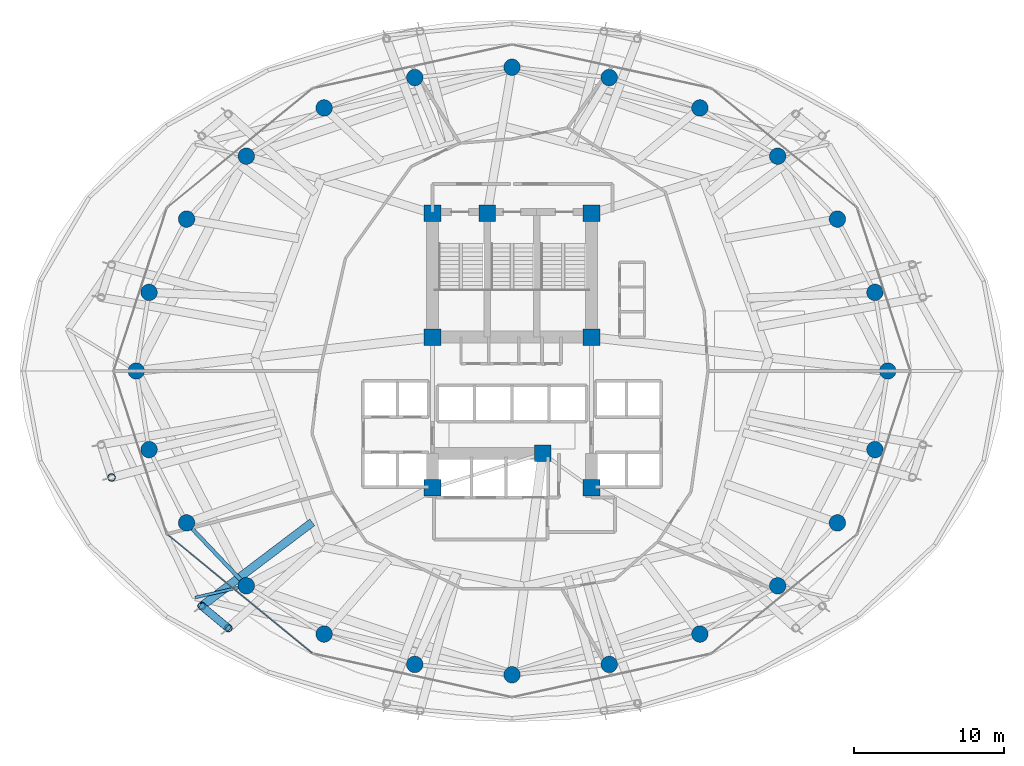
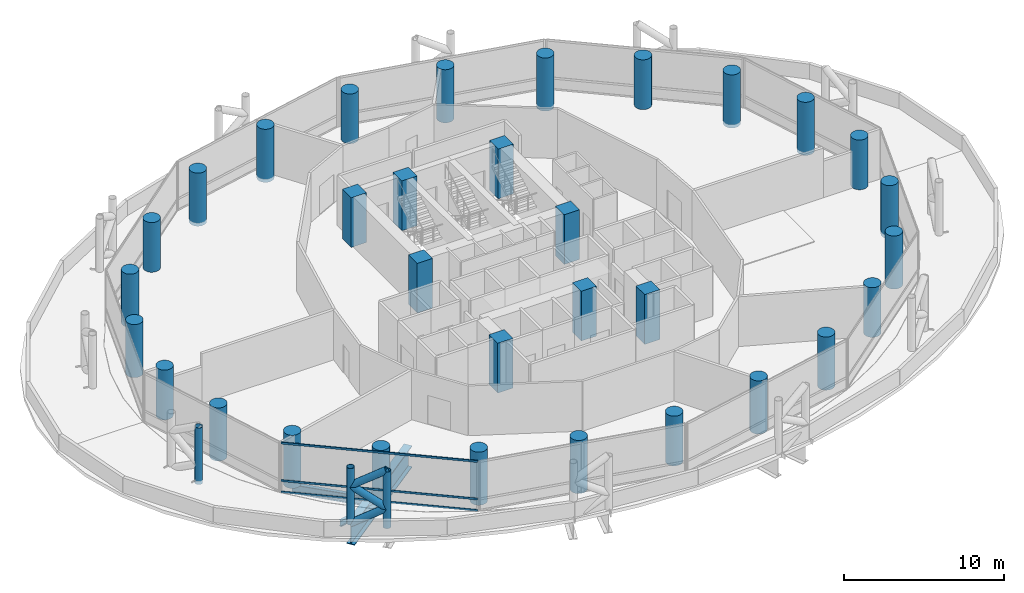
# One storey, part 1 of 37: 32 columns, 9 members, 3 beams, 1 element without a shape of its own.
"""IFC4 building model written with IfcOpenShell, lengths in metres."""

from ifc_helpers import new_model, si_unit, direction, frame, origin, origin_2d, place, context, subcontext, project, spatial, rectangle, hollow_rectangle, circle, hollow_circle, i_section, extrude, material, layer, layer_set, material_profile, profile_set, type_object, element, aggregate, save


model = new_model("IFC4")

# Units and contexts
model_context = context("Model", 3, precision=1e-05, world=origin(), true_north=direction((0.0, 1.0)))
body_context = subcontext(model_context, "Body", "Model", "MODEL_VIEW")
ifc_project = project(units=[si_unit("LENGTHUNIT", "METRE"), si_unit("AREAUNIT", "SQUARE_METRE"), si_unit("VOLUMEUNIT", "CUBIC_METRE"), si_unit("PLANEANGLEUNIT", "RADIAN"), si_unit("MASSUNIT", "GRAM", prefix="KILO")], contexts=[model_context])

# Site, building, storey
site_placement = place(None, origin())
site = spatial("IfcSite", under=ifc_project, at=site_placement, CompositionType="ELEMENT")
building_placement = place(site_placement, origin())
building = spatial("IfcBuilding", under=site, at=building_placement, Name="Nuhasar Tower", CompositionType="ELEMENT")
storey_placement = place(building_placement, frame((0.0, 0.0, 21.0)))
storey = spatial("IfcBuildingStorey", under=building, at=storey_placement, Name="L04", CompositionType="ELEMENT", Elevation=21.0)

# Columns
ifc_material_1 = material(Name="Concrete C80/95", Category="concrete")
ifc_material_profile_1 = material_profile(ifc_material_1, circle(Radius=0.550048828125, at=origin_2d()), Name="CFT1100")
ifc_profile_set_1 = profile_set([ifc_material_profile_1], Name="Concrete C80/95")
column_type_1 = type_object("IfcColumnType", Name="COL-CFT-1100", PredefinedType="COLUMN", material=ifc_profile_set_1)
column_1_placement = place(storey_placement, frame((64.050048828125, 26.800048828125, 0.0), z_axis=(0.0, 0.0, 1.0), x_axis=(1.0, 0.0, 0.0)))
element("IfcColumn", 1, at=column_1_placement, inside=storey, type_object=column_type_1, Name="L04 Perimeter Composite Column TC-01", PredefinedType="COLUMN", context=body_context, shape_type="SweptSolid", body=[
    extrude(circle(Radius=0.550048828125, at=origin_2d()), origin(), (0.0, 0.0, 1.0), 3.7900390625),
])
for number, where, z_axis, x_axis, name in (
    (2, (63.196044921875, 32.041015625, -0.260009765625), (0.0, 0.0, 1.0), (1.0, 0.0, 0.0), "L04 Perimeter Composite Column TC-02"),
    (3, (60.694091796875, 36.925048828125, -0.260009765625), (0.0, 0.0, 1.0), (1.0, 0.0, 0.0), "L04 Perimeter Composite Column TC-03"),
):
    element("IfcColumn", number, at=place(storey_placement, frame(where, z_axis=z_axis, x_axis=x_axis)), inside=storey, type_object=column_type_1, Name=name, PredefinedType="COLUMN", context=body_context, shape_type="SweptSolid", body=[
        extrude(circle(Radius=0.550048828125, at=origin_2d()), origin(), (0.0, 0.0, 1.0), 4.050048828125),
    ])
column_2_placement = place(storey_placement, frame((56.712890625, 41.118896484375, 0.0), z_axis=(0.0, 0.0, 1.0), x_axis=(1.0, 0.0, 0.0)))
element("IfcColumn", 4, at=column_2_placement, inside=storey, type_object=column_type_1, Name="L04 Perimeter Composite Column TC-04", PredefinedType="COLUMN", context=body_context, shape_type="SweptSolid", body=[
    extrude(circle(Radius=0.550048828125, at=origin_2d()), origin(), (0.0, 0.0, 1.0), 3.7900390625),
])
for number, where, z_axis, x_axis, name in (
    (5, (51.52490234375, 44.3369140625, -0.260009765625), (0.0, 0.0, 1.0), (1.0, 0.0, 0.0), "L04 Perimeter Composite Column TC-05"),
    (6, (45.48291015625, 46.360107421875, -0.260009765625), (0.0, 0.0, 1.0), (1.0, 0.0, 0.0), "L04 Perimeter Composite Column TC-06"),
):
    element("IfcColumn", number, at=place(storey_placement, frame(where, z_axis=z_axis, x_axis=x_axis)), inside=storey, type_object=column_type_1, Name=name, PredefinedType="COLUMN", context=body_context, shape_type="SweptSolid", body=[
        extrude(circle(Radius=0.550048828125, at=origin_2d()), origin(), (0.0, 0.0, 1.0), 4.050048828125),
    ])
column_3_placement = place(storey_placement, frame((39.0, 47.050048828125, 0.0), z_axis=(0.0, 0.0, 1.0), x_axis=(1.0, 0.0, 0.0)))
element("IfcColumn", 7, at=column_3_placement, inside=storey, type_object=column_type_1, Name="L04 Perimeter Composite Column TC-07", PredefinedType="COLUMN", context=body_context, shape_type="SweptSolid", body=[
    extrude(circle(Radius=0.550048828125, at=origin_2d()), origin(), (0.0, 0.0, 1.0), 3.7900390625),
])
for number, where, z_axis, x_axis, name in (
    (8, (32.51708984375, 46.360107421875, -0.260009765625), (0.0, 0.0, 1.0), (1.0, 0.0, 0.0), "L04 Perimeter Composite Column TC-08"),
    (9, (26.47509765625, 44.3369140625, -0.260009765625), (0.0, 0.0, 1.0), (1.0, 0.0, 0.0), "L04 Perimeter Composite Column TC-09"),
):
    element("IfcColumn", number, at=place(storey_placement, frame(where, z_axis=z_axis, x_axis=x_axis)), inside=storey, type_object=column_type_1, Name=name, PredefinedType="COLUMN", context=body_context, shape_type="SweptSolid", body=[
        extrude(circle(Radius=0.550048828125, at=origin_2d()), origin(), (0.0, 0.0, 1.0), 4.050048828125),
    ])
column_4_placement = place(storey_placement, frame((21.287109375, 41.118896484375, 0.0), z_axis=(0.0, 0.0, 1.0), x_axis=(1.0, 0.0, 0.0)))
element("IfcColumn", 10, at=column_4_placement, inside=storey, type_object=column_type_1, Name="L04 Perimeter Composite Column TC-10", PredefinedType="COLUMN", context=body_context, shape_type="SweptSolid", body=[
    extrude(circle(Radius=0.550048828125, at=origin_2d()), origin(), (0.0, 0.0, 1.0), 3.7900390625),
])
for number, where, z_axis, x_axis, name in (
    (11, (17.305908203125, 36.925048828125, -0.260009765625), (0.0, 0.0, 1.0), (1.0, 0.0, 0.0), "L04 Perimeter Composite Column TC-11"),
    (12, (14.803955078125, 32.041015625, -0.260009765625), (0.0, 0.0, 1.0), (1.0, 0.0, 0.0), "L04 Perimeter Composite Column TC-12"),
):
    element("IfcColumn", number, at=place(storey_placement, frame(where, z_axis=z_axis, x_axis=x_axis)), inside=storey, type_object=column_type_1, Name=name, PredefinedType="COLUMN", context=body_context, shape_type="SweptSolid", body=[
        extrude(circle(Radius=0.550048828125, at=origin_2d()), origin(), (0.0, 0.0, 1.0), 4.050048828125),
    ])
column_5_placement = place(storey_placement, frame((13.949951171875, 26.800048828125, 0.0), z_axis=(0.0, 0.0, 1.0), x_axis=(1.0, 0.0, 0.0)))
element("IfcColumn", 13, at=column_5_placement, inside=storey, type_object=column_type_1, Name="L04 Perimeter Composite Column TC-13", PredefinedType="COLUMN", context=body_context, shape_type="SweptSolid", body=[
    extrude(circle(Radius=0.550048828125, at=origin_2d()), origin(), (0.0, 0.0, 1.0), 3.7900390625),
])
for number, where, z_axis, x_axis, name in (
    (14, (14.803955078125, 21.55908203125, -0.260009765625), (0.0, 0.0, 1.0), (1.0, 0.0, 0.0), "L04 Perimeter Composite Column TC-14"),
    (15, (17.305908203125, 16.675048828125, -0.260009765625), (0.0, 0.0, 1.0), (1.0, 0.0, 0.0), "L04 Perimeter Composite Column TC-15"),
):
    element("IfcColumn", number, at=place(storey_placement, frame(where, z_axis=z_axis, x_axis=x_axis)), inside=storey, type_object=column_type_1, Name=name, PredefinedType="COLUMN", context=body_context, shape_type="SweptSolid", body=[
        extrude(circle(Radius=0.550048828125, at=origin_2d()), origin(), (0.0, 0.0, 1.0), 4.050048828125),
    ])
column_6_placement = place(storey_placement, frame((21.287109375, 12.48095703125, 0.0), z_axis=(0.0, 0.0, 1.0), x_axis=(1.0, 0.0, 0.0)))
element("IfcColumn", 16, at=column_6_placement, inside=storey, type_object=column_type_1, Name="L04 Perimeter Composite Column TC-16", PredefinedType="COLUMN", context=body_context, shape_type="SweptSolid", body=[
    extrude(circle(Radius=0.550048828125, at=origin_2d()), origin(), (0.0, 0.0, 1.0), 3.7900390625),
])
for number, where, z_axis, x_axis, name in (
    (17, (26.47509765625, 9.262939453125, -0.260009765625), (0.0, 0.0, 1.0), (1.0, 0.0, 0.0), "L04 Perimeter Composite Column TC-17"),
    (18, (32.51708984375, 7.239990234375, -0.260009765625), (0.0, 0.0, 1.0), (1.0, 0.0, 0.0), "L04 Perimeter Composite Column TC-18"),
):
    element("IfcColumn", number, at=place(storey_placement, frame(where, z_axis=z_axis, x_axis=x_axis)), inside=storey, type_object=column_type_1, Name=name, PredefinedType="COLUMN", context=body_context, shape_type="SweptSolid", body=[
        extrude(circle(Radius=0.550048828125, at=origin_2d()), origin(), (0.0, 0.0, 1.0), 4.050048828125),
    ])
column_7_placement = place(storey_placement, frame((39.0, 6.550048828125, 0.0), z_axis=(0.0, 0.0, 1.0), x_axis=(1.0, 0.0, 0.0)))
element("IfcColumn", 19, at=column_7_placement, inside=storey, type_object=column_type_1, Name="L04 Perimeter Composite Column TC-19", PredefinedType="COLUMN", context=body_context, shape_type="SweptSolid", body=[
    extrude(circle(Radius=0.550048828125, at=origin_2d()), origin(), (0.0, 0.0, 1.0), 3.7900390625),
])
for number, where, z_axis, x_axis, name in (
    (20, (45.48291015625, 7.239990234375, -0.260009765625), (0.0, 0.0, 1.0), (1.0, 0.0, 0.0), "L04 Perimeter Composite Column TC-20"),
    (21, (51.52490234375, 9.262939453125, -0.260009765625), (0.0, 0.0, 1.0), (1.0, 0.0, 0.0), "L04 Perimeter Composite Column TC-21"),
):
    element("IfcColumn", number, at=place(storey_placement, frame(where, z_axis=z_axis, x_axis=x_axis)), inside=storey, type_object=column_type_1, Name=name, PredefinedType="COLUMN", context=body_context, shape_type="SweptSolid", body=[
        extrude(circle(Radius=0.550048828125, at=origin_2d()), origin(), (0.0, 0.0, 1.0), 4.050048828125),
    ])
column_8_placement = place(storey_placement, frame((56.712890625, 12.48095703125, 0.0), z_axis=(0.0, 0.0, 1.0), x_axis=(1.0, 0.0, 0.0)))
element("IfcColumn", 22, at=column_8_placement, inside=storey, type_object=column_type_1, Name="L04 Perimeter Composite Column TC-22", PredefinedType="COLUMN", context=body_context, shape_type="SweptSolid", body=[
    extrude(circle(Radius=0.550048828125, at=origin_2d()), origin(), (0.0, 0.0, 1.0), 3.7900390625),
])
for number, where, z_axis, x_axis, name in (
    (23, (60.694091796875, 16.675048828125, -0.260009765625), (0.0, 0.0, 1.0), (1.0, 0.0, 0.0), "L04 Perimeter Composite Column TC-23"),
    (24, (63.196044921875, 21.55908203125, -0.260009765625), (0.0, 0.0, 1.0), (1.0, 0.0, 0.0), "L04 Perimeter Composite Column TC-24"),
):
    element("IfcColumn", number, at=place(storey_placement, frame(where, z_axis=z_axis, x_axis=x_axis)), inside=storey, type_object=column_type_1, Name=name, PredefinedType="COLUMN", context=body_context, shape_type="SweptSolid", body=[
        extrude(circle(Radius=0.550048828125, at=origin_2d()), origin(), (0.0, 0.0, 1.0), 4.050048828125),
    ])
ifc_material_profile_2 = material_profile(ifc_material_1, rectangle(XDim=1.10009765625, YDim=1.10009765625, at=origin_2d()), Name="RC1100X1100")
ifc_profile_set_2 = profile_set([ifc_material_profile_2], Name="Concrete C80/95")
column_type_2 = type_object("IfcColumnType", Name="PIL-RC-1100", PredefinedType="PILASTER", material=ifc_profile_set_2)
for number, where, z_axis, x_axis, name in (
    (25, (33.699951171875, 19.0, 0.0), (0.0, 0.0, 1.0), (1.0, 0.0, 0.0), "L04 Core Boundary Pilaster CC-01"),
    (26, (41.050048828125, 21.300048828125, 0.0), (0.0, 0.0, 1.0), (1.0, 0.0, 0.0), "L04 Core Boundary Pilaster CC-02"),
    (27, (44.300048828125, 19.0, 0.0), (0.0, 0.0, 1.0), (1.0, 0.0, 0.0), "L04 Core Boundary Pilaster CC-03"),
    (28, (44.300048828125, 29.050048828125, 0.0), (0.0, 0.0, 1.0), (1.0, 0.0, 0.0), "L04 Core Boundary Pilaster CC-04"),
    (29, (44.300048828125, 37.300048828125, 0.0), (0.0, 0.0, 1.0), (1.0, 0.0, 0.0), "L04 Core Boundary Pilaster CC-05"),
    (30, (37.35009765625, 37.300048828125, 0.0), (0.0, 0.0, 1.0), (1.0, 0.0, 0.0), "L04 Core Boundary Pilaster CC-06"),
    (31, (33.699951171875, 37.300048828125, 0.0), (0.0, 0.0, 1.0), (1.0, 0.0, 0.0), "L04 Core Boundary Pilaster CC-07"),
    (32, (33.699951171875, 29.050048828125, 0.0), (0.0, 0.0, 1.0), (1.0, 0.0, 0.0), "L04 Core Boundary Pilaster CC-08"),
):
    element("IfcColumn", number, at=place(storey_placement, frame(where, z_axis=z_axis, x_axis=x_axis)), inside=storey, type_object=column_type_2, Name=name, PredefinedType="PILASTER", context=body_context, shape_type="SweptSolid", body=[
        extrude(rectangle(XDim=1.10009765625, YDim=1.10009765625, at=origin_2d()), origin(), (0.0, 0.0, 1.0), 3.7900390625),
    ])

# Beams
ifc_material_2 = material(Name="Steel S355", Category="steel")
ifc_material_profile_3 = material_profile(ifc_material_2, i_section(OverallWidth=0.18994140625, OverallDepth=0.45703125, WebThickness=0.009033203125, FlangeThickness=0.014404296875, at=origin_2d()), Name="W18X50")
ifc_profile_set_3 = profile_set([ifc_material_profile_3], Name="Steel S355")
beam_type_1 = type_object("IfcBeamType", Name="BM-RAD-W18X50", PredefinedType="BEAM", material=ifc_profile_set_3)
beam_1_placement = place(storey_placement, frame((21.287109375, 12.48095703125, -0.489013671875), z_axis=(-0.974715141502, -0.223451097394, 0.0), x_axis=(0.223451097394, -0.974715141502, 0.0)))
element("IfcBeam", 33, at=beam_1_placement, inside=storey, type_object=beam_type_1, Name="L04 Podium Radial Girder 01", PredefinedType="BEAM", context=body_context, shape_type="SweptSolid", body=[
    extrude(i_section(OverallWidth=0.18994140625, OverallDepth=0.45703125, WebThickness=0.009033203125, FlangeThickness=0.014404296875, at=origin_2d()), origin(), (0.0, 0.0, 1.0), 3.482177734375),
])
ifc_material_profile_4 = material_profile(ifc_material_2, i_section(OverallWidth=0.256103515625, OverallDepth=0.693115234375, WebThickness=0.014404296875, FlangeThickness=0.023681640625, at=origin_2d()), Name="W27X114")
ifc_profile_set_4 = profile_set([ifc_material_profile_4], Name="Steel S355")
beam_type_2 = type_object("IfcBeamType", Name="BM-RING-W27X114", PredefinedType="SPANDREL", material=ifc_profile_set_4)
beam_2_placement = place(storey_placement, frame((17.305908203125, 16.675048828125, -0.60693359375), z_axis=(0.688459812429, -0.725274490569, 0.0), x_axis=(0.725274490569, 0.688459812429, 0.0)))
element("IfcBeam", 34, at=beam_2_placement, inside=storey, type_object=beam_type_2, Name="L04 Perimeter Ring Spandrel 15", PredefinedType="SPANDREL", context=body_context, shape_type="SweptSolid", body=[
    extrude(i_section(OverallWidth=0.256103515625, OverallDepth=0.693115234375, WebThickness=0.014404296875, FlangeThickness=0.023681640625, at=origin_2d()), origin(), (0.0, 0.0, 1.0), 5.78271484375),
])
ifc_material_3 = material(Name="Steel S460", Category="steel")
ifc_material_profile_5 = material_profile(ifc_material_3, i_section(OverallWidth=0.550048828125, OverallDepth=1.64990234375, WebThickness=0.031982421875, FlangeThickness=0.054931640625, at=origin_2d()), Name="PG1650X550")
ifc_profile_set_5 = profile_set([ifc_material_profile_5], Name="Steel S460")
beam_type_3 = type_object("IfcBeamType", Name="BM-XFER-PG1650", PredefinedType="USERDEFINED", material=ifc_profile_set_5)
beam_3_placement = place(storey_placement, frame((25.68505859375, 16.712890625, -1.0849609375), z_axis=(-0.79706287868, -0.603896321756, 0.0), x_axis=(0.603896321756, -0.79706287868, 0.0)))
element("IfcBeam", 35, at=beam_3_placement, inside=storey, type_object=beam_type_3, Name="L04 Exoskeleton Base Transfer Girder 15", ObjectType="GIRDER", PredefinedType="USERDEFINED", context=body_context, shape_type="SweptSolid", body=[
    extrude(i_section(OverallWidth=0.550048828125, OverallDepth=1.64990234375, WebThickness=0.031982421875, FlangeThickness=0.054931640625, at=origin_2d()), origin(), (0.0, 0.0, 1.0), 9.24658203125),
])

# Curtain wall, members
ifc_material_4 = material(Name="Aluminium 6063-T6", Category="aluminium")
ifc_layer = layer(ifc_material_4, 0.199951171875)
ifc_layer_set = layer_set([ifc_layer], Name="Aluminium 6063-T6")
curtain_wall_type = type_object("IfcCurtainWallType", Name="CW-Z1-OFF", PredefinedType="NOTDEFINED", material=ifc_layer_set)
curtain_wall_placement = place(storey_placement, origin())
curtain_wall = element("IfcCurtainWall", 36, at=curtain_wall_placement, inside=storey, type_object=curtain_wall_type, Name="L04 Unitised Curtain Wall 08", PredefinedType="NOTDEFINED")
ifc_material_profile_6 = material_profile(ifc_material_4, hollow_rectangle(XDim=0.06494140625, YDim=0.14990234375, WallThickness=0.00439453125, at=origin_2d()), Name="CWT-2")
ifc_profile_set_6 = profile_set([ifc_material_profile_6], Name="Aluminium 6063-T6")
member_type_1 = type_object("IfcMemberType", Name="CW-TRN-S2", PredefinedType="USERDEFINED", material=ifc_profile_set_6)
member_1_placement = place(storey_placement, frame((16.04833984375, 15.87890625, 0.032470703125), z_axis=(0.773531229158, -0.633758185365, 0.0), x_axis=(0.633758185365, 0.773531229158, 0.0)))
member_1 = element("IfcMember", 37, at=member_1_placement, type_object=member_type_1, Name="CW-Z1 transom 1.1", ObjectType="TRANSOM", PredefinedType="USERDEFINED", context=body_context, shape_type="SweptSolid", body=[
    extrude(hollow_rectangle(XDim=0.06494140625, YDim=0.14990234375, WallThickness=0.00439453125, at=origin_2d()), origin(), (0.0, 0.0, 1.0), 12.438232421875),
])
member_2_placement = place(storey_placement, frame((16.04833984375, 15.87890625, 0.89990234375), z_axis=(0.773531229158, -0.633758185365, 0.0), x_axis=(0.633758185365, 0.773531229158, 0.0)))
member_2 = element("IfcMember", 38, at=member_2_placement, type_object=member_type_1, Name="CW-Z1 transom 1.2", ObjectType="TRANSOM", PredefinedType="USERDEFINED", context=body_context, shape_type="SweptSolid", body=[
    extrude(hollow_rectangle(XDim=0.06494140625, YDim=0.14990234375, WallThickness=0.00439453125, at=origin_2d()), origin(), (0.0, 0.0, 1.0), 12.438232421875),
])
member_3_placement = place(storey_placement, frame((16.04833984375, 15.87890625, 3.757568359375), z_axis=(0.773531229158, -0.633758185365, 0.0), x_axis=(0.633758185365, 0.773531229158, 0.0)))
member_3 = element("IfcMember", 39, at=member_3_placement, type_object=member_type_1, Name="CW-Z1 transom 1.3", ObjectType="TRANSOM", PredefinedType="USERDEFINED", context=body_context, shape_type="SweptSolid", body=[
    extrude(hollow_rectangle(XDim=0.06494140625, YDim=0.14990234375, WallThickness=0.00439453125, at=origin_2d()), origin(), (0.0, 0.0, 1.0), 12.438232421875),
])
aggregate(curtain_wall, [member_1, member_2, member_3])

# Members
ifc_material_profile_7 = material_profile(ifc_material_3, hollow_circle(Radius=0.25390625, WallThickness=0.025390625, at=origin_2d()), Name="HSS508X25.4")
ifc_profile_set_7 = profile_set([ifc_material_profile_7], Name="Steel S460")
member_type_2 = type_object("IfcMemberType", Name="EXO-BRONZE-508", PredefinedType="BRACE", material=ifc_profile_set_7)
for number, where, z_axis, x_axis, name in (
    (40, (12.30810546875, 19.700927734375, -0.260009765625), (0.0, 0.0, 1.0), (1.0, 0.0, 0.0), "L04 Exoskeleton Chord Column EC-07B"),
    (41, (18.31494140625, 11.12890625, -0.260009765625), (0.0, 0.0, 1.0), (1.0, 0.0, 0.0), "L04 Exoskeleton Chord Column EC-08A"),
    (42, (20.0869140625, 9.660888671875, -0.260009765625), (0.0, 0.0, 1.0), (1.0, 0.0, 0.0), "L04 Exoskeleton Chord Column EC-08B"),
):
    element("IfcMember", number, at=place(storey_placement, frame(where, z_axis=z_axis, x_axis=x_axis)), inside=storey, type_object=member_type_2, Name=name, PredefinedType="BRACE", context=body_context, shape_type="SweptSolid", body=[
        extrude(hollow_circle(Radius=0.25390625, WallThickness=0.025390625, at=origin_2d()), origin(), (0.0, 0.0, 1.0), 4.31005859375),
    ])
member_4_placement = place(storey_placement, frame((18.31494140625, 11.12890625, -0.260009765625), z_axis=(0.653159322717, -0.541119730986, 0.529690792713), x_axis=(0.637969333506, 0.770061769929, 0.0)))
element("IfcMember", 43, at=member_4_placement, inside=storey, type_object=member_type_2, Name="L04 Bronze Diagrid Brace W1-08", PredefinedType="BRACE", context=body_context, shape_type="SweptSolid", body=[
    extrude(hollow_circle(Radius=0.25390625, WallThickness=0.025390625, at=origin_2d()), origin(), (0.0, 0.0, 1.0), 2.712890625),
])
member_5_placement = place(storey_placement, frame((20.0869140625, 9.660888671875, 1.177001953125), z_axis=(-0.653283854529, 0.541222901252, 0.529431748738), x_axis=(-0.637969333506, -0.770061769929, 0.0)))
element("IfcMember", 44, at=member_5_placement, inside=storey, type_object=member_type_2, Name="L04 Bronze Diagrid Brace W2-08", PredefinedType="BRACE", context=body_context, shape_type="SweptSolid", body=[
    extrude(hollow_circle(Radius=0.25390625, WallThickness=0.025390625, at=origin_2d()), origin(), (0.0, 0.0, 1.0), 2.71240234375),
])
member_6_placement = place(storey_placement, frame((18.31494140625, 11.12890625, 2.613037109375), z_axis=(0.653159322717, -0.541119730986, 0.529690792713), x_axis=(0.637969333506, 0.770061769929, 0.0)))
element("IfcMember", 45, at=member_6_placement, inside=storey, type_object=member_type_2, Name="L04 Bronze Diagrid Brace W3-08", PredefinedType="BRACE", context=body_context, shape_type="SweptSolid", body=[
    extrude(hollow_circle(Radius=0.25390625, WallThickness=0.025390625, at=origin_2d()), origin(), (0.0, 0.0, 1.0), 2.712890625),
])

save(model, "model.ifc")
